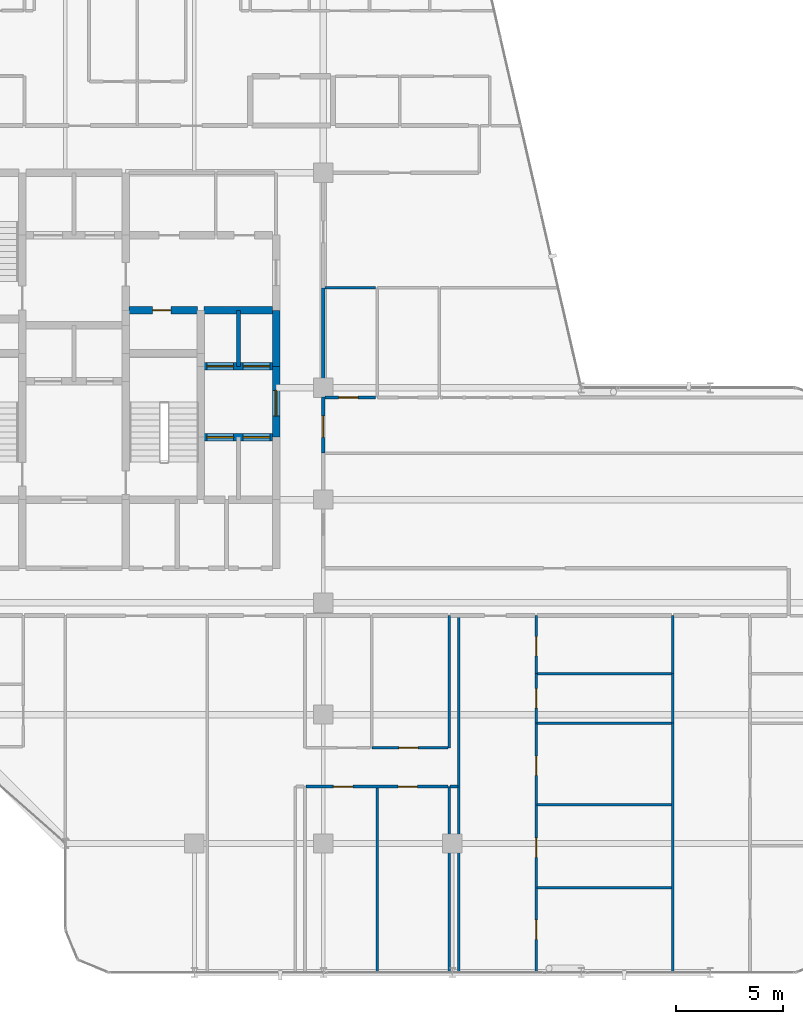
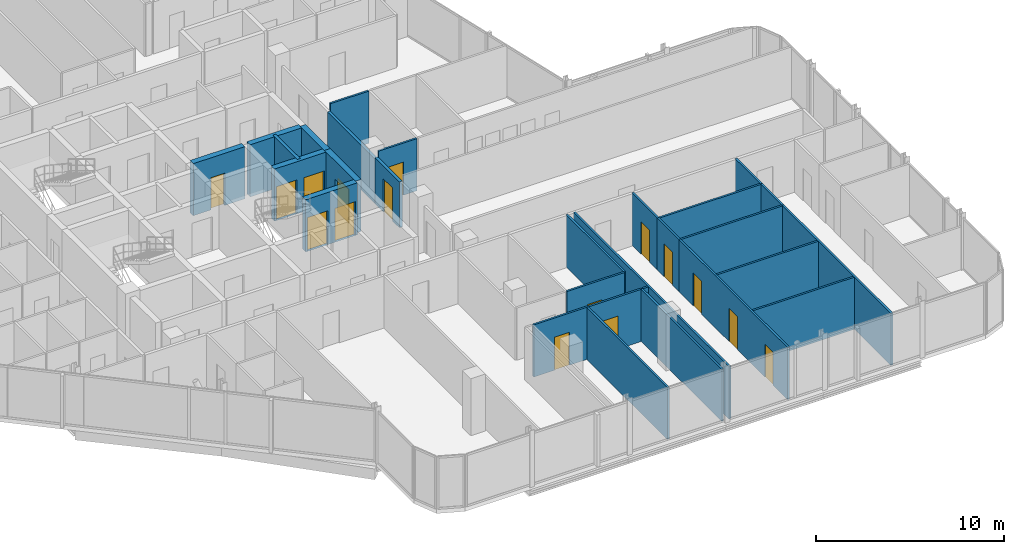
# One storey, part 25 of 29: 28 walls, 16 doors, 16 openings.
"""IFC4 building model written with IfcOpenShell, lengths in metres."""

from ifc_helpers import new_model, si_unit, direction, frame, frame_2d, origin, place, context, subcontext, project, spatial, rectangle, extrude, material, layer, layer_set, type_object, element, fill, save


model = new_model("IFC4")

# Units and contexts
model_context = context("Model", 3, precision=1e-05, world=origin(), true_north=direction((0.0, 1.0)))
body_context = subcontext(model_context, "Body", "Model", "MODEL_VIEW")
ifc_project = project(units=[si_unit("LENGTHUNIT", "METRE"), si_unit("AREAUNIT", "SQUARE_METRE"), si_unit("VOLUMEUNIT", "CUBIC_METRE"), si_unit("PLANEANGLEUNIT", "RADIAN"), si_unit("MASSUNIT", "GRAM", prefix="KILO")], contexts=[model_context])

# Site, building, storey
site_placement = place(None, origin())
site = spatial("IfcSite", under=ifc_project, at=site_placement, CompositionType="ELEMENT")
building_placement = place(site_placement, origin())
building = spatial("IfcBuilding", under=site, at=building_placement, Name="Keshet Zoharim Tower", CompositionType="ELEMENT")
storey_placement = place(building_placement, frame((0.0, 0.0, 203.199951171875)))
storey = spatial("IfcBuildingStorey", under=building, at=storey_placement, Name="L50", CompositionType="ELEMENT", Elevation=203.199951171875)

# Wall, opening, door
ifc_material_1 = material(Name="Concrete C60/75", Category="concrete")
ifc_layer_1 = layer(ifc_material_1, 0.35009765625)
ifc_layer_set_1 = layer_set([ifc_layer_1], Name="Concrete C60/75")
wall_type_1 = type_object("IfcWallType", Name="WL-CORE-350", PredefinedType="SHEAR", material=ifc_layer_set_1)
wall_1_placement = place(storey_placement, frame((30.800048828125, 25.60009765625, 0.0), z_axis=(0.0, 0.0, 1.0), x_axis=(0.0, 1.0, 0.0)))
wall_1 = element("IfcWall", 1, at=wall_1_placement, inside=storey, type_object=wall_type_1, Name="L50 Core Shear Wall 062", PredefinedType="SHEAR", context=body_context, shape_type="SweptSolid", body=[
    extrude(rectangle(XDim=3.2998046875, YDim=0.35009765625, at=frame_2d((1.64990234375, 0.0))), origin(), (0.0, 0.0, 1.0), 3.39013671875),
])
opening_1_placement = place(wall_1_placement, frame((0.97802734375, 0.0, 0.0)))
opening_1 = element("IfcOpeningElement", 2, at=opening_1_placement, cuts=wall_1, Name="Opening D-F612", PredefinedType="OPENING", context=body_context, shape_type="SweptSolid", body=[
    extrude(rectangle(XDim=1.199951171875, YDim=2.199951171875, at=frame_2d((0.60009765625, 1.10009765625))), frame((0.0, 0.18505859375, 0.0), z_axis=(0.0, -1.0, 0.0), x_axis=(1.0, 0.0, 0.0)), (0.0, 0.0, 1.0), 0.3701171875),
])
ifc_material_2 = material(Name="Hardwood Timber", Category="wood")
door_type_1 = type_object("IfcDoorType", Name="DR-FD60-120", OperationType="NOTDEFINED", PredefinedType="DOOR", material=ifc_material_2)
door_1_placement = place(opening_1_placement, origin())
door_1 = element("IfcDoor", 3, at=door_1_placement, inside=storey, type_object=door_type_1, Name="L50 East Lift Lobby Fire Door", OperationType="SINGLE_SWING_LEFT", OverallHeight=2.199951171875, OverallWidth=1.199951171875, PredefinedType="DOOR", context=body_context, shape_type="SweptSolid", body=[
    extrude(rectangle(XDim=1.199951171875, YDim=2.199951171875, at=frame_2d((0.60009765625, 1.10009765625))), frame((0.0, 0.02490234375, 0.0), z_axis=(0.0, -1.0, 0.0), x_axis=(1.0, 0.0, 0.0)), (0.0, 0.0, 1.0), 0.050048828125),
])
fill(opening_1, door_1)

# Wall
wall_2_placement = place(storey_placement, frame((30.800048828125, 28.89990234375, 0.0), z_axis=(0.0, 0.0, 1.0), x_axis=(0.0, 1.0, 0.0)))
element("IfcWall", 4, at=wall_2_placement, inside=storey, type_object=wall_type_1, Name="L50 Core Shear Wall 063", PredefinedType="SHEAR", context=body_context, shape_type="SweptSolid", body=[
    extrude(rectangle(XDim=2.60009765625, YDim=0.35009765625, at=frame_2d((1.300048828125, 0.0))), origin(), (0.0, 0.0, 1.0), 3.39013671875),
])

# Wall, openings, doors
wall_3_placement = place(storey_placement, frame((27.4599609375, 25.60009765625, 0.0), z_axis=(0.0, 0.0, 1.0), x_axis=(1.0, 0.0, 0.0)))
wall_3 = element("IfcWall", 5, at=wall_3_placement, inside=storey, type_object=wall_type_1, Name="L50 Core Shear Wall 141", PredefinedType="SHEAR", context=body_context, shape_type="SweptSolid", body=[
    extrude(rectangle(XDim=3.179931640625, YDim=0.35009765625, at=frame_2d((1.58984375, 0.0))), origin(), (0.0, 0.0, 1.0), 3.39013671875),
])
opening_2_placement = place(wall_3_placement, frame((0.1201171875, 0.0, 0.0)))
opening_2 = element("IfcOpeningElement", 6, at=opening_2_placement, cuts=wall_3, Name="Opening LD-01", PredefinedType="OPENING", context=body_context, shape_type="SweptSolid", body=[
    extrude(rectangle(XDim=1.25, YDim=2.199951171875, at=frame_2d((0.625, 1.10009765625))), frame((0.0, 0.18505859375, 0.0), z_axis=(0.0, -1.0, 0.0), x_axis=(1.0, 0.0, 0.0)), (0.0, 0.0, 1.0), 0.3701171875),
])
opening_3_placement = place(wall_3_placement, frame((1.81005859375, 0.0, 0.0)))
opening_3 = element("IfcOpeningElement", 7, at=opening_3_placement, cuts=wall_3, Name="Opening LD-01", PredefinedType="OPENING", context=body_context, shape_type="SweptSolid", body=[
    extrude(rectangle(XDim=1.25, YDim=2.199951171875, at=frame_2d((0.625, 1.10009765625))), frame((0.0, 0.18505859375, 0.0), z_axis=(0.0, -1.0, 0.0), x_axis=(1.0, 0.0, 0.0)), (0.0, 0.0, 1.0), 0.3701171875),
])
ifc_material_3 = material(Name="Steel S355", Category="steel")
door_type_2 = type_object("IfcDoorType", Name="DR-LD01-125", OperationType="DOUBLE_DOOR_SLIDING", PredefinedType="DOOR", material=ifc_material_3)
door_2_placement = place(opening_2_placement, origin())
door_2 = element("IfcDoor", 8, at=door_2_placement, inside=storey, type_object=door_type_2, Name="L50 Passenger Lift Landing Door LF-07", OperationType="DOUBLE_DOOR_SLIDING", OverallHeight=2.199951171875, OverallWidth=1.25, PredefinedType="DOOR", context=body_context, shape_type="SweptSolid", body=[
    extrude(rectangle(XDim=1.25, YDim=2.199951171875, at=frame_2d((0.625, 1.10009765625))), frame((0.0, 0.02490234375, 0.0), z_axis=(0.0, -1.0, 0.0), x_axis=(1.0, 0.0, 0.0)), (0.0, 0.0, 1.0), 0.050048828125),
])
fill(opening_2, door_2)
door_3_placement = place(opening_3_placement, origin())
door_3 = element("IfcDoor", 9, at=door_3_placement, inside=storey, type_object=door_type_2, Name="L50 Passenger Lift Landing Door LF-08", OperationType="DOUBLE_DOOR_SLIDING", OverallHeight=2.199951171875, OverallWidth=1.25, PredefinedType="DOOR", context=body_context, shape_type="SweptSolid", body=[
    extrude(rectangle(XDim=1.25, YDim=2.199951171875, at=frame_2d((0.625, 1.10009765625))), frame((0.0, 0.02490234375, 0.0), z_axis=(0.0, -1.0, 0.0), x_axis=(1.0, 0.0, 0.0)), (0.0, 0.0, 1.0), 0.050048828125),
])
fill(opening_3, door_3)

wall_4_placement = place(storey_placement, frame((27.4599609375, 28.89990234375, 0.0), z_axis=(0.0, 0.0, 1.0), x_axis=(1.0, 0.0, 0.0)))
wall_4 = element("IfcWall", 10, at=wall_4_placement, inside=storey, type_object=wall_type_1, Name="L50 Core Shear Wall 149", PredefinedType="SHEAR", context=body_context, shape_type="SweptSolid", body=[
    extrude(rectangle(XDim=3.179931640625, YDim=0.35009765625, at=frame_2d((1.58984375, 0.0))), origin(), (0.0, 0.0, 1.0), 3.39013671875),
])
opening_4_placement = place(wall_4_placement, frame((0.1201171875, 0.0, 0.0)))
opening_4 = element("IfcOpeningElement", 11, at=opening_4_placement, cuts=wall_4, Name="Opening LD-01", PredefinedType="OPENING", context=body_context, shape_type="SweptSolid", body=[
    extrude(rectangle(XDim=1.25, YDim=2.199951171875, at=frame_2d((0.625, 1.10009765625))), frame((0.0, 0.18505859375, 0.0), z_axis=(0.0, -1.0, 0.0), x_axis=(1.0, 0.0, 0.0)), (0.0, 0.0, 1.0), 0.3701171875),
])
opening_5_placement = place(wall_4_placement, frame((1.81005859375, 0.0, 0.0)))
opening_5 = element("IfcOpeningElement", 12, at=opening_5_placement, cuts=wall_4, Name="Opening LD-01", PredefinedType="OPENING", context=body_context, shape_type="SweptSolid", body=[
    extrude(rectangle(XDim=1.25, YDim=2.199951171875, at=frame_2d((0.625, 1.10009765625))), frame((0.0, 0.18505859375, 0.0), z_axis=(0.0, -1.0, 0.0), x_axis=(1.0, 0.0, 0.0)), (0.0, 0.0, 1.0), 0.3701171875),
])
door_4_placement = place(opening_4_placement, origin())
door_4 = element("IfcDoor", 13, at=door_4_placement, inside=storey, type_object=door_type_2, Name="L50 Passenger Lift Landing Door LF-05", OperationType="DOUBLE_DOOR_SLIDING", OverallHeight=2.199951171875, OverallWidth=1.25, PredefinedType="DOOR", context=body_context, shape_type="SweptSolid", body=[
    extrude(rectangle(XDim=1.25, YDim=2.199951171875, at=frame_2d((0.625, 1.10009765625))), frame((0.0, 0.02490234375, 0.0), z_axis=(0.0, -1.0, 0.0), x_axis=(1.0, 0.0, 0.0)), (0.0, 0.0, 1.0), 0.050048828125),
])
fill(opening_4, door_4)
door_5_placement = place(opening_5_placement, origin())
door_5 = element("IfcDoor", 14, at=door_5_placement, inside=storey, type_object=door_type_2, Name="L50 Passenger Lift Landing Door LF-06", OperationType="DOUBLE_DOOR_SLIDING", OverallHeight=2.199951171875, OverallWidth=1.25, PredefinedType="DOOR", context=body_context, shape_type="SweptSolid", body=[
    extrude(rectangle(XDim=1.25, YDim=2.199951171875, at=frame_2d((0.625, 1.10009765625))), frame((0.0, 0.02490234375, 0.0), z_axis=(0.0, -1.0, 0.0), x_axis=(1.0, 0.0, 0.0)), (0.0, 0.0, 1.0), 0.050048828125),
])
fill(opening_5, door_5)

# Wall, opening, door
wall_5_placement = place(storey_placement, frame((23.9599609375, 31.5, 0.0), z_axis=(0.0, 0.0, 1.0), x_axis=(1.0, 0.0, 0.0)))
wall_5 = element("IfcWall", 15, at=wall_5_placement, inside=storey, type_object=wall_type_1, Name="L50 Core Shear Wall 157", PredefinedType="SHEAR", context=body_context, shape_type="SweptSolid", body=[
    extrude(rectangle(XDim=3.179931640625, YDim=0.35009765625, at=frame_2d((1.58984375, 0.0))), origin(), (0.0, 0.0, 1.0), 3.39013671875),
])
opening_6_placement = place(wall_5_placement, frame((1.093994140625, 0.0, 0.0)))
opening_6 = element("IfcOpeningElement", 16, at=opening_6_placement, cuts=wall_5, Name="Opening D-RS85", PredefinedType="OPENING", context=body_context, shape_type="SweptSolid", body=[
    extrude(rectangle(XDim=0.85009765625, YDim=2.10009765625, at=frame_2d((0.425048828125, 1.050048828125))), frame((0.0, 0.18505859375, 0.0), z_axis=(0.0, -1.0, 0.0), x_axis=(1.0, 0.0, 0.0)), (0.0, 0.0, 1.0), 0.3701171875),
])
door_type_3 = type_object("IfcDoorType", Name="DR-RIS-085", OperationType="NOTDEFINED", PredefinedType="DOOR", material=ifc_material_2)
door_6_placement = place(opening_6_placement, origin())
door_6 = element("IfcDoor", 17, at=door_6_placement, inside=storey, type_object=door_type_3, Name="L50 Telecom Riser Access Cupboard Door", OperationType="SINGLE_SWING_RIGHT", OverallHeight=2.10009765625, OverallWidth=0.85009765625, PredefinedType="DOOR", context=body_context, shape_type="SweptSolid", body=[
    extrude(rectangle(XDim=0.85009765625, YDim=2.10009765625, at=frame_2d((0.425048828125, 1.050048828125))), frame((0.0, 0.02490234375, 0.0), z_axis=(0.0, -1.0, 0.0), x_axis=(1.0, 0.0, 0.0)), (0.0, 0.0, 1.0), 0.050048828125),
])
fill(opening_6, door_6)

# Wall
wall_6_placement = place(storey_placement, frame((27.4599609375, 31.5, 0.0), z_axis=(0.0, 0.0, 1.0), x_axis=(1.0, 0.0, 0.0)))
element("IfcWall", 18, at=wall_6_placement, inside=storey, type_object=wall_type_1, Name="L50 Core Shear Wall 158", PredefinedType="SHEAR", context=body_context, shape_type="SweptSolid", body=[
    extrude(rectangle(XDim=3.179931640625, YDim=0.35009765625, at=frame_2d((1.58984375, 0.0))), origin(), (0.0, 0.0, 1.0), 3.39013671875),
])

# Wall, opening, door
ifc_material_4 = material(Name="Gypsum Plasterboard", Category="gypsum")
ifc_layer_2 = layer(ifc_material_4, 0.179931640625)
ifc_layer_set_2 = layer_set([ifc_layer_2], Name="Gypsum Plasterboard")
wall_type_2 = type_object("IfcWallType", Name="WL-CORR-180", PredefinedType="STANDARD", material=ifc_layer_set_2)
wall_7_placement = place(storey_placement, frame((33.0, 24.8701171875, 0.0), z_axis=(0.0, 0.0, 1.0), x_axis=(0.0, 1.0, 0.0)))
wall_7 = element("IfcWall", 19, at=wall_7_placement, inside=storey, type_object=wall_type_2, Name="L50 Interior Wall 071", PredefinedType="STANDARD", context=body_context, shape_type="SweptSolid", body=[
    extrude(rectangle(XDim=2.599853515625, YDim=0.179931640625, at=frame_2d((1.2998046875, 0.0))), origin(), (0.0, 0.0, 1.0), 2.989990234375),
])
opening_7_placement = place(wall_7_placement, frame((0.722900390625, 0.0, 0.0)))
opening_7 = element("IfcOpeningElement", 20, at=opening_7_placement, cuts=wall_7, Name="Opening D-F310", PredefinedType="OPENING", context=body_context, shape_type="SweptSolid", body=[
    extrude(rectangle(XDim=1.0, YDim=2.14990234375, at=frame_2d((0.5, 1.074951171875))), frame((0.0, 0.10009765625, 0.0), z_axis=(0.0, -1.0, 0.0), x_axis=(1.0, 0.0, 0.0)), (0.0, 0.0, 1.0), 0.199951171875),
])
door_type_4 = type_object("IfcDoorType", Name="DR-FD30-100", OperationType="NOTDEFINED", PredefinedType="DOOR", material=ifc_material_2)
door_7_placement = place(opening_7_placement, origin())
door_7 = element("IfcDoor", 21, at=door_7_placement, inside=storey, type_object=door_type_4, Name="Apartment 5010 Entrance Door", OperationType="SINGLE_SWING_RIGHT", OverallHeight=2.14990234375, OverallWidth=1.0, PredefinedType="DOOR", context=body_context, shape_type="SweptSolid", body=[
    extrude(rectangle(XDim=1.0, YDim=2.14990234375, at=frame_2d((0.5, 1.074951171875))), frame((0.0, 0.02490234375, 0.0), z_axis=(0.0, -1.0, 0.0), x_axis=(1.0, 0.0, 0.0)), (0.0, 0.0, 1.0), 0.050048828125),
])
fill(opening_7, door_7)

# Walls
wall_8_placement = place(storey_placement, frame((33.0, 27.469970703125, 0.0), z_axis=(0.0, 0.0, 1.0), x_axis=(0.0, 1.0, 0.0)))
element("IfcWall", 22, at=wall_8_placement, inside=storey, type_object=wall_type_2, Name="L50 Interior Wall 072", PredefinedType="STANDARD", context=body_context, shape_type="SweptSolid", body=[
    extrude(rectangle(XDim=5.070068359375, YDim=0.179931640625, at=frame_2d((2.53515625, 0.0))), origin(), (0.0, 0.0, 1.0), 2.89013671875),
])
ifc_material_5 = material(Name="Concrete C50/60", Category="concrete")
ifc_layer_3 = layer(ifc_material_5, 0.199951171875)
ifc_layer_set_3 = layer_set([ifc_layer_3], Name="Concrete C50/60")
wall_type_3 = type_object("IfcWallType", Name="WL-FIRE-200", PredefinedType="STANDARD", material=ifc_layer_set_3)
wall_9_placement = place(storey_placement, frame((29.050048828125, 28.89990234375, 0.0), z_axis=(0.0, 0.0, 1.0), x_axis=(0.0, 1.0, 0.0)))
element("IfcWall", 23, at=wall_9_placement, inside=storey, type_object=wall_type_3, Name="L50 Interior Wall 056", PredefinedType="STANDARD", context=body_context, shape_type="SweptSolid", body=[
    extrude(rectangle(XDim=2.60009765625, YDim=0.199951171875, at=frame_2d((1.300048828125, 0.0))), origin(), (0.0, 0.0, 1.0), 3.39013671875),
])
ifc_layer_4 = layer(ifc_material_4, 0.1201171875)
ifc_layer_set_4 = layer_set([ifc_layer_4], Name="Gypsum Plasterboard")
wall_type_4 = type_object("IfcWallType", Name="WL-PART-120", PredefinedType="PARTITIONING", material=ifc_layer_set_4)
for number, where, z_axis, x_axis, name in (
    (24, (35.5, 0.7099609375, 0.0), (0.0, 0.0, 1.0), (0.0, 1.0, 0.0), "L50 Interior Wall 077"),
    (25, (38.85009765625, 0.7099609375, 0.0), (0.0, 0.0, 1.0), (0.0, 1.0, 0.0), "L50 Interior Wall 082"),
):
    element("IfcWall", number, at=place(storey_placement, frame(where, z_axis=z_axis, x_axis=x_axis)), inside=storey, type_object=wall_type_4, Name=name, PredefinedType="PARTITIONING", context=body_context, shape_type="SweptSolid", body=[
        extrude(rectangle(XDim=8.64013671875, YDim=0.1201171875, at=frame_2d((4.320068359375, 0.0))), origin(), (0.0, 0.0, 1.0), 3.39013671875),
    ])
wall_10_placement = place(storey_placement, frame((39.300048828125, 0.7099609375, 0.0), z_axis=(0.0, 0.0, 1.0), x_axis=(0.0, 1.0, 0.0)))
element("IfcWall", 26, at=wall_10_placement, inside=storey, type_object=wall_type_4, Name="L50 Interior Wall 084", PredefinedType="PARTITIONING", context=body_context, shape_type="SweptSolid", body=[
    extrude(rectangle(XDim=16.590087890625, YDim=0.1201171875, at=frame_2d((8.294921875, 0.0))), origin(), (0.0, 0.0, 1.0), 3.39013671875),
])

# Wall, openings, doors
wall_11_placement = place(storey_placement, frame((42.89990234375, 0.7099609375, 0.0), z_axis=(0.0, 0.0, 1.0), x_axis=(0.0, 1.0, 0.0)))
wall_11 = element("IfcWall", 27, at=wall_11_placement, inside=storey, type_object=wall_type_4, Name="L50 Interior Wall 087", PredefinedType="PARTITIONING", context=body_context, shape_type="SweptSolid", body=[
    extrude(rectangle(XDim=11.590087890625, YDim=0.1201171875, at=frame_2d((5.794921875, 0.0))), origin(), (0.0, 0.0, 1.0), 3.39013671875),
])
opening_8_placement = place(wall_11_placement, frame((1.534912109375, 0.0, 0.0)))
opening_8 = element("IfcOpeningElement", 28, at=opening_8_placement, cuts=wall_11, Name="Opening D-IN90", PredefinedType="OPENING", context=body_context, shape_type="SweptSolid", body=[
    extrude(rectangle(XDim=0.89990234375, YDim=2.14990234375, at=frame_2d((0.449951171875, 1.074951171875))), frame((0.0, 0.070068359375, 0.0), z_axis=(0.0, -1.0, 0.0), x_axis=(1.0, 0.0, 0.0)), (0.0, 0.0, 1.0), 0.14013671875),
])
opening_9_placement = place(wall_11_placement, frame((5.34912109375, 0.0, 0.0)))
opening_9 = element("IfcOpeningElement", 29, at=opening_9_placement, cuts=wall_11, Name="Opening D-IN90", PredefinedType="OPENING", context=body_context, shape_type="SweptSolid", body=[
    extrude(rectangle(XDim=0.89990234375, YDim=2.14990234375, at=frame_2d((0.449951171875, 1.074951171875))), frame((0.0, 0.070068359375, 0.0), z_axis=(0.0, -1.0, 0.0), x_axis=(1.0, 0.0, 0.0)), (0.0, 0.0, 1.0), 0.14013671875),
])
opening_10_placement = place(wall_11_placement, frame((9.158935546875, 0.0, 0.0)))
opening_10 = element("IfcOpeningElement", 30, at=opening_10_placement, cuts=wall_11, Name="Opening D-IN90", PredefinedType="OPENING", context=body_context, shape_type="SweptSolid", body=[
    extrude(rectangle(XDim=0.89990234375, YDim=2.14990234375, at=frame_2d((0.449951171875, 1.074951171875))), frame((0.0, 0.070068359375, 0.0), z_axis=(0.0, -1.0, 0.0), x_axis=(1.0, 0.0, 0.0)), (0.0, 0.0, 1.0), 0.14013671875),
])
door_type_5 = type_object("IfcDoorType", Name="DR-INT-090", OperationType="NOTDEFINED", PredefinedType="DOOR", material=ifc_material_2)
door_8_placement = place(opening_8_placement, origin())
door_8 = element("IfcDoor", 31, at=door_8_placement, inside=storey, type_object=door_type_5, Name="Apartment 5003 Bedroom 1 Door", OperationType="SINGLE_SWING_RIGHT", OverallHeight=2.14990234375, OverallWidth=0.89990234375, PredefinedType="DOOR", context=body_context, shape_type="SweptSolid", body=[
    extrude(rectangle(XDim=0.89990234375, YDim=2.14990234375, at=frame_2d((0.449951171875, 1.074951171875))), frame((0.0, 0.02490234375, 0.0), z_axis=(0.0, -1.0, 0.0), x_axis=(1.0, 0.0, 0.0)), (0.0, 0.0, 1.0), 0.050048828125),
])
fill(opening_8, door_8)
door_9_placement = place(opening_9_placement, origin())
door_9 = element("IfcDoor", 32, at=door_9_placement, inside=storey, type_object=door_type_5, Name="Apartment 5003 Bedroom 2 Door", OperationType="SINGLE_SWING_LEFT", OverallHeight=2.14990234375, OverallWidth=0.89990234375, PredefinedType="DOOR", context=body_context, shape_type="SweptSolid", body=[
    extrude(rectangle(XDim=0.89990234375, YDim=2.14990234375, at=frame_2d((0.449951171875, 1.074951171875))), frame((0.0, 0.02490234375, 0.0), z_axis=(0.0, -1.0, 0.0), x_axis=(1.0, 0.0, 0.0)), (0.0, 0.0, 1.0), 0.050048828125),
])
fill(opening_9, door_9)
door_10_placement = place(opening_10_placement, origin())
door_10 = element("IfcDoor", 33, at=door_10_placement, inside=storey, type_object=door_type_5, Name="Apartment 5003 Bedroom 3 Door", OperationType="SINGLE_SWING_RIGHT", OverallHeight=2.14990234375, OverallWidth=0.89990234375, PredefinedType="DOOR", context=body_context, shape_type="SweptSolid", body=[
    extrude(rectangle(XDim=0.89990234375, YDim=2.14990234375, at=frame_2d((0.449951171875, 1.074951171875))), frame((0.0, 0.02490234375, 0.0), z_axis=(0.0, -1.0, 0.0), x_axis=(1.0, 0.0, 0.0)), (0.0, 0.0, 1.0), 0.050048828125),
])
fill(opening_10, door_10)

# Wall, opening, door
wall_12_placement = place(storey_placement, frame((42.89990234375, 12.300048828125, 0.0), z_axis=(0.0, 0.0, 1.0), x_axis=(0.0, 1.0, 0.0)))
wall_12 = element("IfcWall", 34, at=wall_12_placement, inside=storey, type_object=wall_type_4, Name="L50 Interior Wall 088", PredefinedType="PARTITIONING", context=body_context, shape_type="SweptSolid", body=[
    extrude(rectangle(XDim=2.300048828125, YDim=0.1201171875, at=frame_2d((1.14990234375, 0.0))), origin(), (0.0, 0.0, 1.0), 3.39013671875),
])
opening_11_placement = place(wall_12_placement, frame((0.699951171875, 0.0, 0.0)))
opening_11 = element("IfcOpeningElement", 35, at=opening_11_placement, cuts=wall_12, Name="Opening D-IN90", PredefinedType="OPENING", context=body_context, shape_type="SweptSolid", body=[
    extrude(rectangle(XDim=0.89990234375, YDim=2.14990234375, at=frame_2d((0.449951171875, 1.074951171875))), frame((0.0, 0.070068359375, 0.0), z_axis=(0.0, -1.0, 0.0), x_axis=(1.0, 0.0, 0.0)), (0.0, 0.0, 1.0), 0.14013671875),
])
door_11_placement = place(opening_11_placement, origin())
door_11 = element("IfcDoor", 36, at=door_11_placement, inside=storey, type_object=door_type_5, Name="Apartment 5003 Kitchen Door", OperationType="SINGLE_SWING_LEFT", OverallHeight=2.14990234375, OverallWidth=0.89990234375, PredefinedType="DOOR", context=body_context, shape_type="SweptSolid", body=[
    extrude(rectangle(XDim=0.89990234375, YDim=2.14990234375, at=frame_2d((0.449951171875, 1.074951171875))), frame((0.0, 0.02490234375, 0.0), z_axis=(0.0, -1.0, 0.0), x_axis=(1.0, 0.0, 0.0)), (0.0, 0.0, 1.0), 0.050048828125),
])
fill(opening_11, door_11)

# Walls
wall_13_placement = place(storey_placement, frame((49.25, 0.7099609375, 0.0), z_axis=(0.0, 0.0, 1.0), x_axis=(0.0, 1.0, 0.0)))
element("IfcWall", 37, at=wall_13_placement, inside=storey, type_object=wall_type_4, Name="L50 Interior Wall 090", PredefinedType="PARTITIONING", context=body_context, shape_type="SweptSolid", body=[
    extrude(rectangle(XDim=11.590087890625, YDim=0.1201171875, at=frame_2d((5.794921875, 0.0))), origin(), (0.0, 0.0, 1.0), 3.39013671875),
])
wall_14_placement = place(storey_placement, frame((49.25, 12.300048828125, 0.0), z_axis=(0.0, 0.0, 1.0), x_axis=(0.0, 1.0, 0.0)))
element("IfcWall", 38, at=wall_14_placement, inside=storey, type_object=wall_type_4, Name="L50 Interior Wall 091", PredefinedType="PARTITIONING", context=body_context, shape_type="SweptSolid", body=[
    extrude(rectangle(XDim=2.300048828125, YDim=0.1201171875, at=frame_2d((1.14990234375, 0.0))), origin(), (0.0, 0.0, 1.0), 3.39013671875),
])
for number, where, z_axis, x_axis, name in (
    (39, (42.945068359375, 4.64990234375, 0.0), (0.0, 0.0, 1.0), (1.0, 0.0, 0.0), "L50 Interior Wall 097"),
    (40, (42.945068359375, 8.5, 0.0), (0.0, 0.0, 1.0), (1.0, 0.0, 0.0), "L50 Interior Wall 099"),
):
    element("IfcWall", number, at=place(storey_placement, frame(where, z_axis=z_axis, x_axis=x_axis)), inside=storey, type_object=wall_type_4, Name=name, PredefinedType="PARTITIONING", context=body_context, shape_type="SweptSolid", body=[
        extrude(rectangle(XDim=6.25, YDim=0.1201171875, at=frame_2d((3.125, 0.0))), origin(), (0.0, 0.0, 1.0), 3.39013671875),
    ])

# Wall, openings, doors
wall_15_placement = place(storey_placement, frame((32.18505859375, 9.35009765625, 0.0), z_axis=(0.0, 0.0, 1.0), x_axis=(1.0, 0.0, 0.0)))
wall_15 = element("IfcWall", 41, at=wall_15_placement, inside=storey, type_object=wall_type_4, Name="L50 Interior Wall 101", PredefinedType="PARTITIONING", context=body_context, shape_type="SweptSolid", body=[
    extrude(rectangle(XDim=6.619873046875, YDim=0.1201171875, at=frame_2d((3.31005859375, 0.0))), origin(), (0.0, 0.0, 1.0), 3.39013671875),
])
opening_12_placement = place(wall_15_placement, frame((1.284912109375, 0.0, 0.0)))
opening_12 = element("IfcOpeningElement", 42, at=opening_12_placement, cuts=wall_15, Name="Opening D-IN90", PredefinedType="OPENING", context=body_context, shape_type="SweptSolid", body=[
    extrude(rectangle(XDim=0.89990234375, YDim=2.14990234375, at=frame_2d((0.449951171875, 1.074951171875))), frame((0.0, 0.070068359375, 0.0), z_axis=(0.0, -1.0, 0.0), x_axis=(1.0, 0.0, 0.0)), (0.0, 0.0, 1.0), 0.14013671875),
])
opening_13_placement = place(wall_15_placement, frame((4.2900390625, 0.0, 0.0)))
opening_13 = element("IfcOpeningElement", 43, at=opening_13_placement, cuts=wall_15, Name="Opening D-IN90", PredefinedType="OPENING", context=body_context, shape_type="SweptSolid", body=[
    extrude(rectangle(XDim=0.89990234375, YDim=2.14990234375, at=frame_2d((0.449951171875, 1.074951171875))), frame((0.0, 0.070068359375, 0.0), z_axis=(0.0, -1.0, 0.0), x_axis=(1.0, 0.0, 0.0)), (0.0, 0.0, 1.0), 0.14013671875),
])
door_12_placement = place(opening_12_placement, origin())
door_12 = element("IfcDoor", 44, at=door_12_placement, inside=storey, type_object=door_type_5, Name="Apartment 5002 Bedroom 1 Door", OperationType="SINGLE_SWING_LEFT", OverallHeight=2.14990234375, OverallWidth=0.89990234375, PredefinedType="DOOR", context=body_context, shape_type="SweptSolid", body=[
    extrude(rectangle(XDim=0.89990234375, YDim=2.14990234375, at=frame_2d((0.449951171875, 1.074951171875))), frame((0.0, 0.02490234375, 0.0), z_axis=(0.0, -1.0, 0.0), x_axis=(1.0, 0.0, 0.0)), (0.0, 0.0, 1.0), 0.050048828125),
])
fill(opening_12, door_12)
door_13_placement = place(opening_13_placement, origin())
door_13 = element("IfcDoor", 45, at=door_13_placement, inside=storey, type_object=door_type_5, Name="Apartment 5002 Bedroom 2 Door", OperationType="SINGLE_SWING_RIGHT", OverallHeight=2.14990234375, OverallWidth=0.89990234375, PredefinedType="DOOR", context=body_context, shape_type="SweptSolid", body=[
    extrude(rectangle(XDim=0.89990234375, YDim=2.14990234375, at=frame_2d((0.449951171875, 1.074951171875))), frame((0.0, 0.02490234375, 0.0), z_axis=(0.0, -1.0, 0.0), x_axis=(1.0, 0.0, 0.0)), (0.0, 0.0, 1.0), 0.050048828125),
])
fill(opening_13, door_13)

# Walls
wall_16_placement = place(storey_placement, frame((38.89501953125, 9.35009765625, 0.0), z_axis=(0.0, 0.0, 1.0), x_axis=(1.0, 0.0, 0.0)))
element("IfcWall", 46, at=wall_16_placement, inside=storey, type_object=wall_type_4, Name="L50 Interior Wall 102", PredefinedType="PARTITIONING", context=body_context, shape_type="SweptSolid", body=[
    extrude(rectangle(XDim=0.35986328125, YDim=0.1201171875, at=frame_2d((0.179931640625, 0.0))), origin(), (0.0, 0.0, 1.0), 3.39013671875),
])
wall_17_placement = place(storey_placement, frame((42.945068359375, 12.300048828125, 0.0), z_axis=(0.0, 0.0, 1.0), x_axis=(1.0, 0.0, 0.0)))
element("IfcWall", 47, at=wall_17_placement, inside=storey, type_object=wall_type_4, Name="L50 Interior Wall 106", PredefinedType="PARTITIONING", context=body_context, shape_type="SweptSolid", body=[
    extrude(rectangle(XDim=6.25, YDim=0.1201171875, at=frame_2d((3.125, 0.0))), origin(), (0.0, 0.0, 1.0), 3.39013671875),
])

# Wall, opening, door
wall_18_placement = place(storey_placement, frame((33.074951171875, 27.449951171875, 0.0), z_axis=(0.0, 0.0, 1.0), x_axis=(1.0, 0.0, 0.0)))
wall_18 = element("IfcWall", 48, at=wall_18_placement, inside=storey, type_object=wall_type_4, Name="L50 Interior Wall 145", PredefinedType="PARTITIONING", context=body_context, shape_type="SweptSolid", body=[
    extrude(rectangle(XDim=2.364013671875, YDim=0.1201171875, at=frame_2d((1.18212890625, 0.0))), origin(), (0.0, 0.0, 1.0), 3.39013671875),
])
opening_14_placement = place(wall_18_placement, frame((0.64111328125, 0.0, 0.0)))
opening_14 = element("IfcOpeningElement", 49, at=opening_14_placement, cuts=wall_18, Name="Opening D-IN90", PredefinedType="OPENING", context=body_context, shape_type="SweptSolid", body=[
    extrude(rectangle(XDim=0.89990234375, YDim=2.14990234375, at=frame_2d((0.449951171875, 1.074951171875))), frame((0.0, 0.070068359375, 0.0), z_axis=(0.0, -1.0, 0.0), x_axis=(1.0, 0.0, 0.0)), (0.0, 0.0, 1.0), 0.14013671875),
])
door_14_placement = place(opening_14_placement, origin())
door_14 = element("IfcDoor", 50, at=door_14_placement, inside=storey, type_object=door_type_5, Name="Apartment 5010 Kitchen Door", OperationType="SINGLE_SWING_LEFT", OverallHeight=2.14990234375, OverallWidth=0.89990234375, PredefinedType="DOOR", context=body_context, shape_type="SweptSolid", body=[
    extrude(rectangle(XDim=0.89990234375, YDim=2.14990234375, at=frame_2d((0.449951171875, 1.074951171875))), frame((0.0, 0.02490234375, 0.0), z_axis=(0.0, -1.0, 0.0), x_axis=(1.0, 0.0, 0.0)), (0.0, 0.0, 1.0), 0.050048828125),
])
fill(opening_14, door_14)

# Walls
wall_19_placement = place(storey_placement, frame((33.074951171875, 32.550048828125, 0.0), z_axis=(0.0, 0.0, 1.0), x_axis=(1.0, 0.0, 0.0)))
element("IfcWall", 51, at=wall_19_placement, inside=storey, type_object=wall_type_4, Name="L50 Interior Wall 161", PredefinedType="PARTITIONING", context=body_context, shape_type="SweptSolid", body=[
    extrude(rectangle(XDim=2.364013671875, YDim=0.1201171875, at=frame_2d((1.18212890625, 0.0))), origin(), (0.0, 0.0, 1.0), 3.39013671875),
])
ifc_layer_5 = layer(ifc_material_4, 0.1201171875)
ifc_layer_set_5 = layer_set([ifc_layer_5], Name="Gypsum Plasterboard")
wall_type_5 = type_object("IfcWallType", Name="WL-WET-120", PredefinedType="PARTITIONING", material=ifc_layer_set_5)
wall_20_placement = place(storey_placement, frame((38.85009765625, 11.14990234375, 0.0), z_axis=(0.0, 0.0, 1.0), x_axis=(0.0, 1.0, 0.0)))
element("IfcWall", 52, at=wall_20_placement, inside=storey, type_object=wall_type_5, Name="L50 Interior Wall 083", PredefinedType="PARTITIONING", context=body_context, shape_type="SweptSolid", body=[
    extrude(rectangle(XDim=6.150146484375, YDim=0.1201171875, at=frame_2d((3.0751953125, 0.0))), origin(), (0.0, 0.0, 1.0), 3.39013671875),
])

# Wall, opening, door
wall_21_placement = place(storey_placement, frame((42.89990234375, 14.60009765625, 0.0), z_axis=(0.0, 0.0, 1.0), x_axis=(0.0, 1.0, 0.0)))
wall_21 = element("IfcWall", 53, at=wall_21_placement, inside=storey, type_object=wall_type_5, Name="L50 Interior Wall 089", PredefinedType="PARTITIONING", context=body_context, shape_type="SweptSolid", body=[
    extrude(rectangle(XDim=2.699951171875, YDim=0.1201171875, at=frame_2d((1.35009765625, 0.0))), origin(), (0.0, 0.0, 1.0), 3.39013671875),
])
opening_15_placement = place(wall_21_placement, frame((0.827880859375, 0.0, 0.0)))
opening_15 = element("IfcOpeningElement", 54, at=opening_15_placement, cuts=wall_21, Name="Opening D-WT90", PredefinedType="OPENING", context=body_context, shape_type="SweptSolid", body=[
    extrude(rectangle(XDim=0.89990234375, YDim=2.10009765625, at=frame_2d((0.449951171875, 1.050048828125))), frame((0.0, 0.070068359375, 0.0), z_axis=(0.0, -1.0, 0.0), x_axis=(1.0, 0.0, 0.0)), (0.0, 0.0, 1.0), 0.14013671875),
])
door_type_6 = type_object("IfcDoorType", Name="DR-WET-090", OperationType="NOTDEFINED", PredefinedType="DOOR", material=ifc_material_2)
door_15_placement = place(opening_15_placement, origin())
door_15 = element("IfcDoor", 55, at=door_15_placement, inside=storey, type_object=door_type_6, Name="Apartment 5003 Bathroom Door", OperationType="SINGLE_SWING_RIGHT", OverallHeight=2.10009765625, OverallWidth=0.89990234375, PredefinedType="DOOR", context=body_context, shape_type="SweptSolid", body=[
    extrude(rectangle(XDim=0.89990234375, YDim=2.10009765625, at=frame_2d((0.449951171875, 1.050048828125))), frame((0.0, 0.02490234375, 0.0), z_axis=(0.0, -1.0, 0.0), x_axis=(1.0, 0.0, 0.0)), (0.0, 0.0, 1.0), 0.050048828125),
])
fill(opening_15, door_15)

# Wall
wall_22_placement = place(storey_placement, frame((49.25, 14.60009765625, 0.0), z_axis=(0.0, 0.0, 1.0), x_axis=(0.0, 1.0, 0.0)))
element("IfcWall", 56, at=wall_22_placement, inside=storey, type_object=wall_type_5, Name="L50 Interior Wall 092", PredefinedType="PARTITIONING", context=body_context, shape_type="SweptSolid", body=[
    extrude(rectangle(XDim=2.699951171875, YDim=0.1201171875, at=frame_2d((1.35009765625, 0.0))), origin(), (0.0, 0.0, 1.0), 3.39013671875),
])

# Wall, opening, door
wall_23_placement = place(storey_placement, frame((35.27197265625, 11.14990234375, 0.0), z_axis=(0.0, 0.0, 1.0), x_axis=(1.0, 0.0, 0.0)))
wall_23 = element("IfcWall", 57, at=wall_23_placement, inside=storey, type_object=wall_type_5, Name="L50 Interior Wall 104", PredefinedType="PARTITIONING", context=body_context, shape_type="SweptSolid", body=[
    extrude(rectangle(XDim=3.532958984375, YDim=0.1201171875, at=frame_2d((1.7666015625, 0.0))), origin(), (0.0, 0.0, 1.0), 3.39013671875),
])
opening_16_placement = place(wall_23_placement, frame((1.242919921875, 0.0, 0.0)))
opening_16 = element("IfcOpeningElement", 58, at=opening_16_placement, cuts=wall_23, Name="Opening D-WT90", PredefinedType="OPENING", context=body_context, shape_type="SweptSolid", body=[
    extrude(rectangle(XDim=0.89990234375, YDim=2.10009765625, at=frame_2d((0.449951171875, 1.050048828125))), frame((0.0, 0.070068359375, 0.0), z_axis=(0.0, -1.0, 0.0), x_axis=(1.0, 0.0, 0.0)), (0.0, 0.0, 1.0), 0.14013671875),
])
door_16_placement = place(opening_16_placement, origin())
door_16 = element("IfcDoor", 59, at=door_16_placement, inside=storey, type_object=door_type_6, Name="Apartment 5002 Bathroom Door", OperationType="SINGLE_SWING_RIGHT", OverallHeight=2.10009765625, OverallWidth=0.89990234375, PredefinedType="DOOR", context=body_context, shape_type="SweptSolid", body=[
    extrude(rectangle(XDim=0.89990234375, YDim=2.10009765625, at=frame_2d((0.449951171875, 1.050048828125))), frame((0.0, 0.02490234375, 0.0), z_axis=(0.0, -1.0, 0.0), x_axis=(1.0, 0.0, 0.0)), (0.0, 0.0, 1.0), 0.050048828125),
])
fill(opening_16, door_16)

# Wall
wall_24_placement = place(storey_placement, frame((42.945068359375, 14.60009765625, 0.0), z_axis=(0.0, 0.0, 1.0), x_axis=(1.0, 0.0, 0.0)))
element("IfcWall", 60, at=wall_24_placement, inside=storey, type_object=wall_type_5, Name="L50 Interior Wall 109", PredefinedType="PARTITIONING", context=body_context, shape_type="SweptSolid", body=[
    extrude(rectangle(XDim=6.25, YDim=0.1201171875, at=frame_2d((3.125, 0.0))), origin(), (0.0, 0.0, 1.0), 3.39013671875),
])

save(model, "model.ifc")
